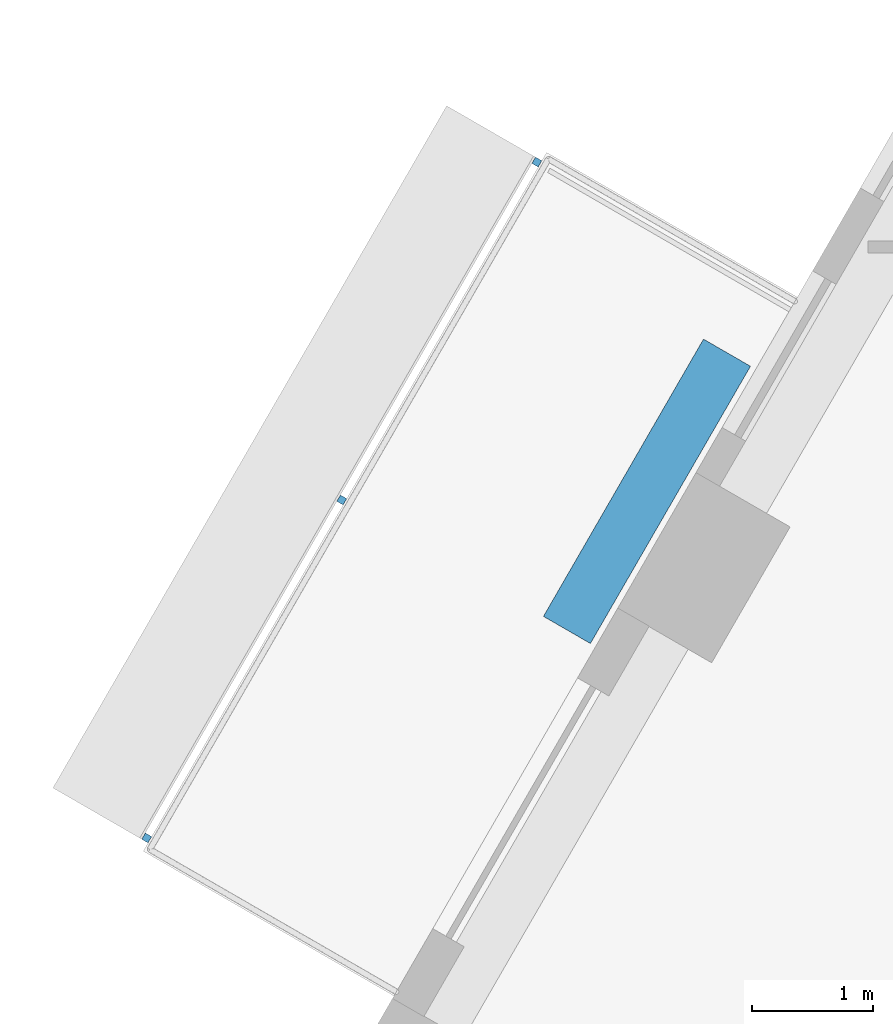
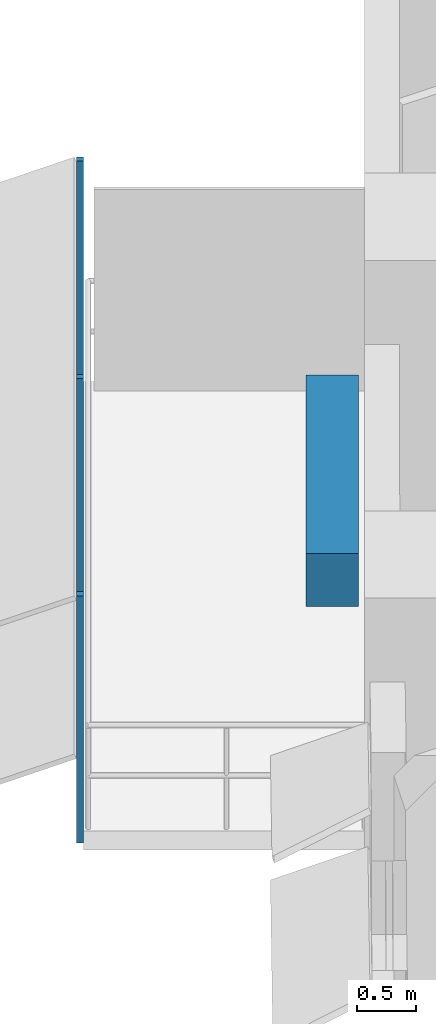
# One storey, part 10 of 13: 4 discrete accessories.
"""IFC4 building model written with IfcOpenShell, lengths in metres."""

from ifc_helpers import new_model, si_unit, direction, frame, origin, origin_2d, place, context, subcontext, project, spatial, rectangle, extrude, material, type_object, element, save


model = new_model("IFC4")

# Units and contexts
model_context = context("Model", 3, precision=1e-05, world=origin(), true_north=direction((0.0, 1.0)))
body_context = subcontext(model_context, "Body", "Model", "MODEL_VIEW")
ifc_project = project(units=[si_unit("LENGTHUNIT", "METRE"), si_unit("AREAUNIT", "SQUARE_METRE"), si_unit("VOLUMEUNIT", "CUBIC_METRE"), si_unit("PLANEANGLEUNIT", "RADIAN"), si_unit("MASSUNIT", "GRAM", prefix="KILO")], contexts=[model_context])

# Site, building, storey
site_placement = place(None, origin())
site = spatial("IfcSite", under=ifc_project, at=site_placement, CompositionType="ELEMENT")
building_placement = place(site_placement, origin())
building = spatial("IfcBuilding", under=site, at=building_placement, Name="Nakaniwa Court", CompositionType="ELEMENT")
storey_placement = place(building_placement, frame((0.0, 0.0, 133.800048828125)))
storey = spatial("IfcBuildingStorey", under=building, at=storey_placement, Name="L34", CompositionType="ELEMENT", Elevation=133.800048828125)

# Discrete accessories
ifc_material_1 = material(Name="Black powder-coated steel bracket S275", Category="steel")
discrete_accessory_type_1 = type_object("IfcDiscreteAccessoryType", Name="Black metal louvre bracket", PredefinedType="BRACKET", material=ifc_material_1)
for number, where, z_axis, x_axis, name in (
    (1, (58.307373046875, 95.287353515625, -0.22998046875), (0.0, 0.0, 1.0), (-0.499975815814, -0.866039366081, 0.0), "L34 louvre bracket 01 1"),
    (2, (56.690185546875, 92.486328125, -0.22998046875), (0.0, 0.0, 1.0), (-0.499975815814, -0.866039366081, 0.0), "L34 louvre bracket 01 2"),
    (3, (55.072998046875, 89.68505859375, -0.22998046875), (0.0, 0.0, 1.0), (-0.499975815814, -0.866039366081, 0.0), "L34 louvre bracket 01 3"),
):
    element("IfcDiscreteAccessory", number, at=place(storey_placement, frame(where, z_axis=z_axis, x_axis=x_axis)), inside=storey, type_object=discrete_accessory_type_1, Name=name, PredefinedType="BRACKET", context=body_context, shape_type="SweptSolid", body=[
        extrude(rectangle(XDim=0.06005859375, YDim=0.06005859375, at=origin_2d()), origin(), (0.0, 0.0, 1.0), 2.5751953125),
    ])
ifc_material_2 = material(Name="Precast concrete C40/50 planter with planted soil", Category="concrete")
discrete_accessory_type_2 = type_object("IfcDiscreteAccessoryType", Name="Planter box charcoal concrete", PredefinedType="USERDEFINED", material=ifc_material_2)
discrete_accessory_placement = place(storey_placement, frame((59.219970703125, 92.55810546875, -0.05029296875), z_axis=(0.0, 0.0, 1.0), x_axis=(-0.499975815814, -0.866039366081, 0.0)))
element("IfcDiscreteAccessory", 4, at=discrete_accessory_placement, inside=storey, type_object=discrete_accessory_type_2, Name="L34 balcony PLANTER 01", ObjectType="PLANTER", PredefinedType="USERDEFINED", context=body_context, shape_type="SweptSolid", body=[
    extrude(rectangle(XDim=2.654296875, YDim=0.449951171875, at=origin_2d()), origin(), (0.0, 0.0, 1.0), 0.550048828125),
])

save(model, "model.ifc")
